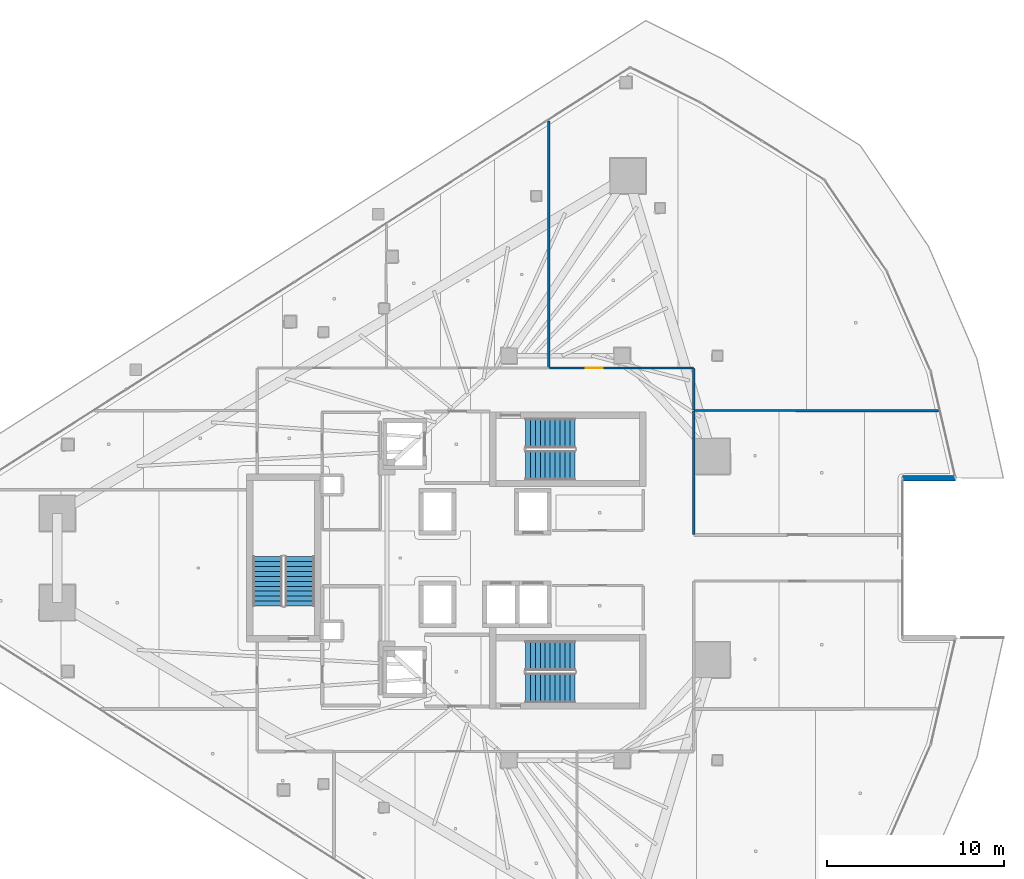
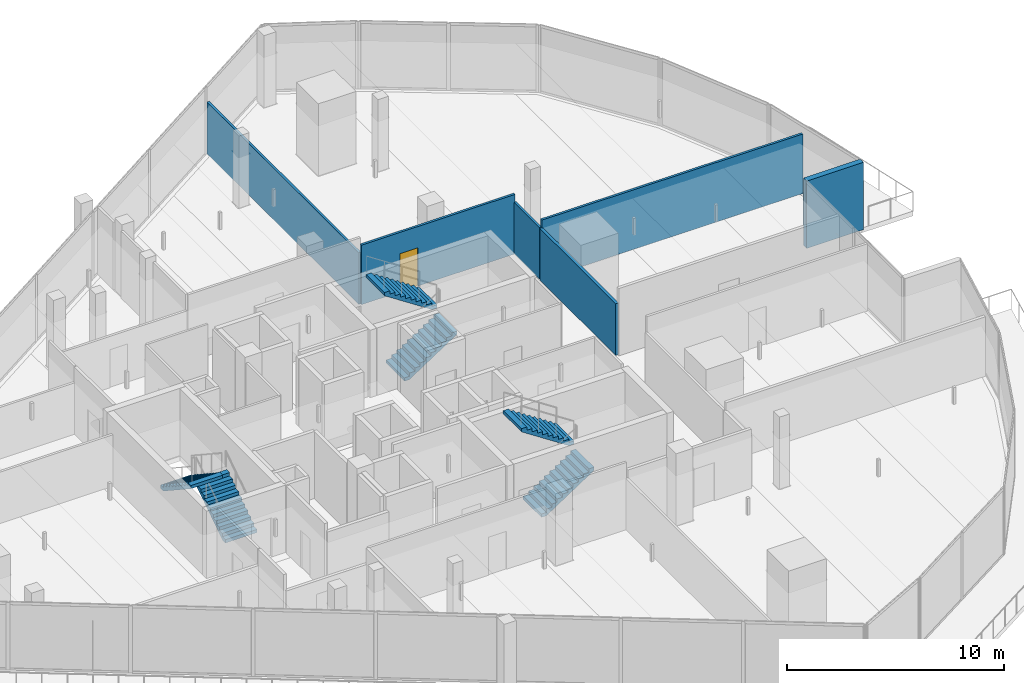
# One storey, part 27 of 36: 6 stair flights, 6 walls, 1 door, 1 opening, 3 elements without a shape of their own.
"""IFC4 building model written with IfcOpenShell, lengths in metres."""

from ifc_helpers import new_model, si_unit, direction, frame, frame_2d, origin, place, context, subcontext, project, spatial, polyline, rectangle, outline, extrude, material, layer, layer_set, type_object, element, fill, aggregate, save


model = new_model("IFC4")

# Units and contexts
model_context = context("Model", 3, precision=1e-05, world=origin(), true_north=direction((0.0, 1.0)))
body_context = subcontext(model_context, "Body", "Model", "MODEL_VIEW")
ifc_project = project(units=[si_unit("LENGTHUNIT", "METRE"), si_unit("AREAUNIT", "SQUARE_METRE"), si_unit("VOLUMEUNIT", "CUBIC_METRE"), si_unit("PLANEANGLEUNIT", "RADIAN"), si_unit("MASSUNIT", "GRAM", prefix="KILO")], contexts=[model_context])

# Site, building, storey
site_placement = place(None, origin())
site = spatial("IfcSite", under=ifc_project, at=site_placement, CompositionType="ELEMENT")
building_placement = place(site_placement, origin())
building = spatial("IfcBuilding", under=site, at=building_placement, Name="Qorvath Tower", CompositionType="ELEMENT")
storey_placement = place(building_placement, frame((0.0, 0.0, 205.050048828125)))
storey = spatial("IfcBuildingStorey", under=building, at=storey_placement, Name="L47", CompositionType="ELEMENT", Elevation=205.050048828125)

# Walls
ifc_material_1 = material(Name="Double acoustic gypsum board on steel studs", Category="steel")
ifc_layer_1 = layer(ifc_material_1, 0.159912109375)
ifc_layer_set_1 = layer_set([ifc_layer_1], Name="IW-ACOUSTIC-160")
wall_type_1 = type_object("IfcWallType", Name="IW-ACOUSTIC-160", PredefinedType="PARTITIONING", material=ifc_layer_set_1)
wall_1_placement = place(storey_placement, frame((-13.14208984375, 8.31689453125, 0.0), z_axis=(0.0, 0.0, 1.0), x_axis=(0.0, -1.0, 0.0)))
element("IfcWall", 1, at=wall_1_placement, inside=storey, type_object=wall_type_1, Name="Interior Partition IW-T1-L47-043", PredefinedType="PARTITIONING", context=body_context, shape_type="SweptSolid", body=[
    extrude(rectangle(XDim=6.98388671875, YDim=0.159912109375, at=frame_2d((3.491943359375, 0.0))), origin(), (0.0, 0.0, 1.0), 2.89990234375),
])
ifc_material_2 = material(Name="Gypsum board on metal studs with mineral wool", Category="gypsum")
ifc_layer_2 = layer(ifc_material_2, 0.125)
ifc_layer_set_2 = layer_set([ifc_layer_2], Name="IW-PART-125")
wall_type_2 = type_object("IfcWallType", Name="IW-PART-125", PredefinedType="PARTITIONING", material=ifc_layer_set_2)
wall_2_placement = place(storey_placement, frame((-21.345947265625, 10.783203125, 0.0), z_axis=(0.0, 0.0, 1.0), x_axis=(0.0, 1.0, 0.0)))
element("IfcWall", 2, at=wall_2_placement, inside=storey, type_object=wall_type_2, Name="Interior Partition IW-T1-L47-028", PredefinedType="PARTITIONING", context=body_context, shape_type="SweptSolid", body=[
    extrude(rectangle(XDim=13.966064453125, YDim=0.125, at=frame_2d((6.98291015625, 0.0))), origin(), (0.0, 0.0, 1.0), 2.89501953125),
])

# Wall, opening, door
wall_3_placement = place(storey_placement, frame((-21.31298828125, 10.758056640625, 0.0), z_axis=(0.0, 0.0, 1.0), x_axis=(1.0, 0.0, 0.0)))
wall_3 = element("IfcWall", 3, at=wall_3_placement, inside=storey, type_object=wall_type_2, Name="Interior Partition IW-T1-L47-029", PredefinedType="PARTITIONING", context=body_context, shape_type="SweptSolid", body=[
    extrude(rectangle(XDim=8.14599609375, YDim=0.125, at=frame_2d((4.072998046875, 0.0))), origin(), (0.0, 0.0, 1.0), 3.34423828125),
])
opening_placement = place(wall_3_placement, frame((2.055908203125, 0.0, 0.0)))
opening = element("IfcOpeningElement", 4, at=opening_placement, cuts=wall_3, Name="Opening D-T1-L47-07", PredefinedType="OPENING", context=body_context, shape_type="SweptSolid", body=[
    extrude(rectangle(XDim=0.949951171875, YDim=2.14990234375, at=frame_2d((0.47509765625, 1.074951171875))), frame((0.0, 0.072509765625, 0.0), z_axis=(0.0, -1.0, 0.0), x_axis=(1.0, 0.0, 0.0)), (0.0, 0.0, 1.0), 0.14501953125),
])
ifc_material_3 = material(Name="Solid-core American white oak veneer", Category="wood")
door_type = type_object("IfcDoorType", Name="D-01", OperationType="NOTDEFINED", PredefinedType="DOOR", material=ifc_material_3)
door_placement = place(opening_placement, origin())
door = element("IfcDoor", 5, at=door_placement, inside=storey, type_object=door_type, Name="L47-03 Executive Partner Office Door D-T1-L47-07", OperationType="SINGLE_SWING_LEFT", OverallHeight=2.14990234375, OverallWidth=0.949951171875, PredefinedType="DOOR", context=body_context, shape_type="SweptSolid", body=[
    extrude(rectangle(XDim=0.949951171875, YDim=2.14990234375, at=frame_2d((0.47509765625, 1.074951171875))), frame((0.0, 0.02490234375, 0.0), z_axis=(0.0, -1.0, 0.0), x_axis=(1.0, 0.0, 0.0)), (0.0, 0.0, 1.0), 0.050048828125),
])
fill(opening, door)

# Walls
wall_4_placement = place(storey_placement, frame((-13.14208984375, 10.733154296875, 0.0), z_axis=(0.0, 0.0, 1.0), x_axis=(0.0, -1.0, 0.0)))
element("IfcWall", 6, at=wall_4_placement, inside=storey, type_object=wall_type_2, Name="Interior Partition IW-T1-L47-030", PredefinedType="PARTITIONING", context=body_context, shape_type="SweptSolid", body=[
    extrude(rectangle(XDim=2.358154296875, YDim=0.125, at=frame_2d((1.17919921875, 0.0))), origin(), (0.0, 0.0, 1.0), 2.89990234375),
])
wall_5_placement = place(storey_placement, frame((-13.1171875, 8.35009765625, 0.0), z_axis=(0.0, 0.0, 1.0), x_axis=(0.999999258756, -0.001217574534, 0.0)))
element("IfcWall", 7, at=wall_5_placement, inside=storey, type_object=wall_type_2, Name="Interior Partition IW-T1-L47-031", PredefinedType="PARTITIONING", context=body_context, shape_type="SweptSolid", body=[
    extrude(rectangle(XDim=13.83544921875, YDim=0.125, at=frame_2d((6.917724609375, 0.0))), origin(), (0.0, 0.0, 1.0), 3.34423828125),
])
ifc_material_4 = material(Name="Precast concrete C45/55", Category="concrete")
ifc_layer_3 = layer(ifc_material_4, 0.300048828125)
ifc_layer_set_3 = layer_set([ifc_layer_3], Name="WL-EW-LOG-300")
wall_type_3 = type_object("IfcWallType", Name="WL-EW-LOG-300", PredefinedType="SOLIDWALL", material=ifc_layer_set_3)
wall_6_placement = place(storey_placement, frame((-1.3291015625, 4.519775390625, 0.0), z_axis=(0.0, 0.0, 1.0), x_axis=(1.0, 0.0, 0.0)))
element("IfcWall", 8, at=wall_6_placement, inside=storey, type_object=wall_type_3, Name="Tower Precast Loggia Wall L47-10.1", PredefinedType="SOLIDWALL", context=body_context, shape_type="SweptSolid", body=[
    extrude(rectangle(XDim=3.01318359375, YDim=0.300048828125, at=frame_2d((1.506591796875, 0.0))), origin(), (0.0, 0.0, 1.0), 3.780029296875),
])

# Stair, stair flights
ifc_material_5 = material(Name="Concrete C50/60", Category="concrete")
stair_type = type_object("IfcStairType", Name="ST-H405", PredefinedType="HALF_TURN_STAIR", material=ifc_material_5)
stair_1_placement = place(storey_placement, origin())
stair_1 = element("IfcStair", 9, at=stair_1_placement, inside=storey, type_object=stair_type, Name="L47 Tower Exit Stair 1", PredefinedType="HALF_TURN_STAIR")
ifc_material_6 = material(Name="Concrete C50/60", Category="concrete")
ifc_layer_4 = layer(ifc_material_6, 0.14990234375)
ifc_layer_set_4 = layer_set([ifc_layer_4], Name="SF-H405")
stair_flight_type = type_object("IfcStairFlightType", Name="SF-H405", PredefinedType="STRAIGHT", material=ifc_layer_set_4)
stair_flight_1_placement = place(storey_placement, frame((-22.669921875, 5.239990234375, 0.0), z_axis=(0.0, 0.0, 1.0), x_axis=(1.0, 0.0, 0.0)))
stair_flight_1 = element("IfcStairFlight", 10, at=stair_flight_1_placement, type_object=stair_flight_type, Name="TS1 flight 1", NumberOfRisers=11, NumberOfTreads=10, PredefinedType="STRAIGHT", RiserHeight=0.184090909, TreadLength=0.28, context=body_context, shape_type="SweptSolid", body=[
    extrude(outline(polyline([(0.0, 0.0), (0.0, 0.18408203125), (0.280029296875, 0.18408203125), (0.280029296875, 0.3681640625), (0.56005859375, 0.3681640625), (0.56005859375, 0.55224609375), (0.840087890625, 0.55224609375), (0.840087890625, 0.736328125), (1.1201171875, 0.736328125), (1.1201171875, 0.92041015625), (1.39990234375, 0.92041015625), (1.39990234375, 1.1044921875), (1.679931640625, 1.1044921875), (1.679931640625, 1.28857421875), (1.9599609375, 1.28857421875), (1.9599609375, 1.47265625), (2.239990234375, 1.47265625), (2.239990234375, 1.65673828125), (2.52001953125, 1.65673828125), (2.52001953125, 1.8408203125), (2.800048828125, 1.8408203125), (2.800048828125, 2.02490234375), (2.800048828125, 1.66162109375), (0.27294921875, 0.0), (0.0, 0.0)])), frame((0.0, 0.83984375, 0.0), z_axis=(0.0, -1.0, 0.0), x_axis=(1.0, 0.0, 0.0)), (0.0, 0.0, 1.0), 1.679931640625),
])
stair_flight_2_placement = place(storey_placement, frame((-19.8701171875, 7.070068359375, 2.02490234375), z_axis=(0.0, 0.0, 1.0), x_axis=(-1.0, 0.0, 0.0)))
stair_flight_2 = element("IfcStairFlight", 11, at=stair_flight_2_placement, type_object=stair_flight_type, Name="TS1 flight 2", NumberOfRisers=11, NumberOfTreads=10, PredefinedType="STRAIGHT", RiserHeight=0.184090909, TreadLength=0.28, context=body_context, shape_type="SweptSolid", body=[
    extrude(outline(polyline([(0.0, 0.0), (0.0, 0.18408203125), (0.280029296875, 0.18408203125), (0.280029296875, 0.3681640625), (0.56005859375, 0.3681640625), (0.56005859375, 0.55224609375), (0.840087890625, 0.55224609375), (0.840087890625, 0.736328125), (1.1201171875, 0.736328125), (1.1201171875, 0.92041015625), (1.39990234375, 0.92041015625), (1.39990234375, 1.1044921875), (1.679931640625, 1.1044921875), (1.679931640625, 1.28857421875), (1.9599609375, 1.28857421875), (1.9599609375, 1.47265625), (2.239990234375, 1.47265625), (2.239990234375, 1.65673828125), (2.52001953125, 1.65673828125), (2.52001953125, 1.8408203125), (2.800048828125, 1.8408203125), (2.800048828125, 2.02490234375), (2.800048828125, 1.66162109375), (0.27294921875, 0.0), (0.0, 0.0)])), frame((0.0, 0.83984375, 0.0), z_axis=(0.0, -1.0, 0.0), x_axis=(1.0, 0.0, 0.0)), (0.0, 0.0, 1.0), 1.679931640625),
])
aggregate(stair_1, [stair_flight_1, stair_flight_2])

stair_2_placement = place(storey_placement, origin())
stair_2 = element("IfcStair", 12, at=stair_2_placement, inside=storey, type_object=stair_type, Name="L47 Tower Exit Stair 2", PredefinedType="HALF_TURN_STAIR")
stair_flight_3_placement = place(storey_placement, frame((-22.669921875, -7.360107421875, 0.0), z_axis=(0.0, 0.0, 1.0), x_axis=(1.0, 0.0, 0.0)))
stair_flight_3 = element("IfcStairFlight", 13, at=stair_flight_3_placement, type_object=stair_flight_type, Name="TS2 flight 1", NumberOfRisers=11, NumberOfTreads=10, PredefinedType="STRAIGHT", RiserHeight=0.184090909, TreadLength=0.28, context=body_context, shape_type="SweptSolid", body=[
    extrude(outline(polyline([(0.0, 0.0), (0.0, 0.18408203125), (0.280029296875, 0.18408203125), (0.280029296875, 0.3681640625), (0.56005859375, 0.3681640625), (0.56005859375, 0.55224609375), (0.840087890625, 0.55224609375), (0.840087890625, 0.736328125), (1.1201171875, 0.736328125), (1.1201171875, 0.92041015625), (1.39990234375, 0.92041015625), (1.39990234375, 1.1044921875), (1.679931640625, 1.1044921875), (1.679931640625, 1.28857421875), (1.9599609375, 1.28857421875), (1.9599609375, 1.47265625), (2.239990234375, 1.47265625), (2.239990234375, 1.65673828125), (2.52001953125, 1.65673828125), (2.52001953125, 1.8408203125), (2.800048828125, 1.8408203125), (2.800048828125, 2.02490234375), (2.800048828125, 1.66162109375), (0.27294921875, 0.0), (0.0, 0.0)])), frame((0.0, 0.83984375, 0.0), z_axis=(0.0, -1.0, 0.0), x_axis=(1.0, 0.0, 0.0)), (0.0, 0.0, 1.0), 1.679931640625),
])
stair_flight_4_placement = place(storey_placement, frame((-19.8701171875, -5.530029296875, 2.02490234375), z_axis=(0.0, 0.0, 1.0), x_axis=(-1.0, 0.0, 0.0)))
stair_flight_4 = element("IfcStairFlight", 14, at=stair_flight_4_placement, type_object=stair_flight_type, Name="TS2 flight 2", NumberOfRisers=11, NumberOfTreads=10, PredefinedType="STRAIGHT", RiserHeight=0.184090909, TreadLength=0.28, context=body_context, shape_type="SweptSolid", body=[
    extrude(outline(polyline([(0.0, 0.0), (0.0, 0.18408203125), (0.280029296875, 0.18408203125), (0.280029296875, 0.3681640625), (0.56005859375, 0.3681640625), (0.56005859375, 0.55224609375), (0.840087890625, 0.55224609375), (0.840087890625, 0.736328125), (1.1201171875, 0.736328125), (1.1201171875, 0.92041015625), (1.39990234375, 0.92041015625), (1.39990234375, 1.1044921875), (1.679931640625, 1.1044921875), (1.679931640625, 1.28857421875), (1.9599609375, 1.28857421875), (1.9599609375, 1.47265625), (2.239990234375, 1.47265625), (2.239990234375, 1.65673828125), (2.52001953125, 1.65673828125), (2.52001953125, 1.8408203125), (2.800048828125, 1.8408203125), (2.800048828125, 2.02490234375), (2.800048828125, 1.66162109375), (0.27294921875, 0.0), (0.0, 0.0)])), frame((0.0, 0.83984375, 0.0), z_axis=(0.0, -1.0, 0.0), x_axis=(1.0, 0.0, 0.0)), (0.0, 0.0, 1.0), 1.679931640625),
])
aggregate(stair_2, [stair_flight_3, stair_flight_4])

stair_3_placement = place(storey_placement, origin())
stair_3 = element("IfcStair", 15, at=stair_3_placement, inside=storey, type_object=stair_type, Name="L47 Tower Exit Stair 3", PredefinedType="HALF_TURN_STAIR")
stair_flight_5_placement = place(storey_placement, frame((-35.43994140625, -2.719970703125, 0.0), z_axis=(0.0, 0.0, 1.0), x_axis=(0.0, 1.0, 0.0)))
stair_flight_5 = element("IfcStairFlight", 16, at=stair_flight_5_placement, type_object=stair_flight_type, Name="TS3 flight 1", NumberOfRisers=11, NumberOfTreads=10, PredefinedType="STRAIGHT", RiserHeight=0.184090909, TreadLength=0.28, context=body_context, shape_type="SweptSolid", body=[
    extrude(outline(polyline([(0.0, 0.0), (0.0, 0.18408203125), (0.280029296875, 0.18408203125), (0.280029296875, 0.3681640625), (0.56005859375, 0.3681640625), (0.56005859375, 0.55224609375), (0.840087890625, 0.55224609375), (0.840087890625, 0.736328125), (1.1201171875, 0.736328125), (1.1201171875, 0.92041015625), (1.39990234375, 0.92041015625), (1.39990234375, 1.1044921875), (1.679931640625, 1.1044921875), (1.679931640625, 1.28857421875), (1.9599609375, 1.28857421875), (1.9599609375, 1.47265625), (2.239990234375, 1.47265625), (2.239990234375, 1.65673828125), (2.52001953125, 1.65673828125), (2.52001953125, 1.8408203125), (2.800048828125, 1.8408203125), (2.800048828125, 2.02490234375), (2.800048828125, 1.66162109375), (0.27294921875, 0.0), (0.0, 0.0)])), frame((0.0, 0.83984375, 0.0), z_axis=(0.0, -1.0, 0.0), x_axis=(1.0, 0.0, 0.0)), (0.0, 0.0, 1.0), 1.679931640625),
])
stair_flight_6_placement = place(storey_placement, frame((-37.27001953125, 0.080078125, 2.02490234375), z_axis=(0.0, 0.0, 1.0), x_axis=(0.0, -1.0, 0.0)))
stair_flight_6 = element("IfcStairFlight", 17, at=stair_flight_6_placement, type_object=stair_flight_type, Name="TS3 flight 2", NumberOfRisers=11, NumberOfTreads=10, PredefinedType="STRAIGHT", RiserHeight=0.184090909, TreadLength=0.28, context=body_context, shape_type="SweptSolid", body=[
    extrude(outline(polyline([(0.0, 0.0), (0.0, 0.18408203125), (0.280029296875, 0.18408203125), (0.280029296875, 0.3681640625), (0.56005859375, 0.3681640625), (0.56005859375, 0.55224609375), (0.840087890625, 0.55224609375), (0.840087890625, 0.736328125), (1.1201171875, 0.736328125), (1.1201171875, 0.92041015625), (1.39990234375, 0.92041015625), (1.39990234375, 1.1044921875), (1.679931640625, 1.1044921875), (1.679931640625, 1.28857421875), (1.9599609375, 1.28857421875), (1.9599609375, 1.47265625), (2.239990234375, 1.47265625), (2.239990234375, 1.65673828125), (2.52001953125, 1.65673828125), (2.52001953125, 1.8408203125), (2.800048828125, 1.8408203125), (2.800048828125, 2.02490234375), (2.800048828125, 1.66162109375), (0.27294921875, 0.0), (0.0, 0.0)])), frame((0.0, 0.83984375, 0.0), z_axis=(0.0, -1.0, 0.0), x_axis=(1.0, 0.0, 0.0)), (0.0, 0.0, 1.0), 1.679931640625),
])
aggregate(stair_3, [stair_flight_5, stair_flight_6])

save(model, "model.ifc")
